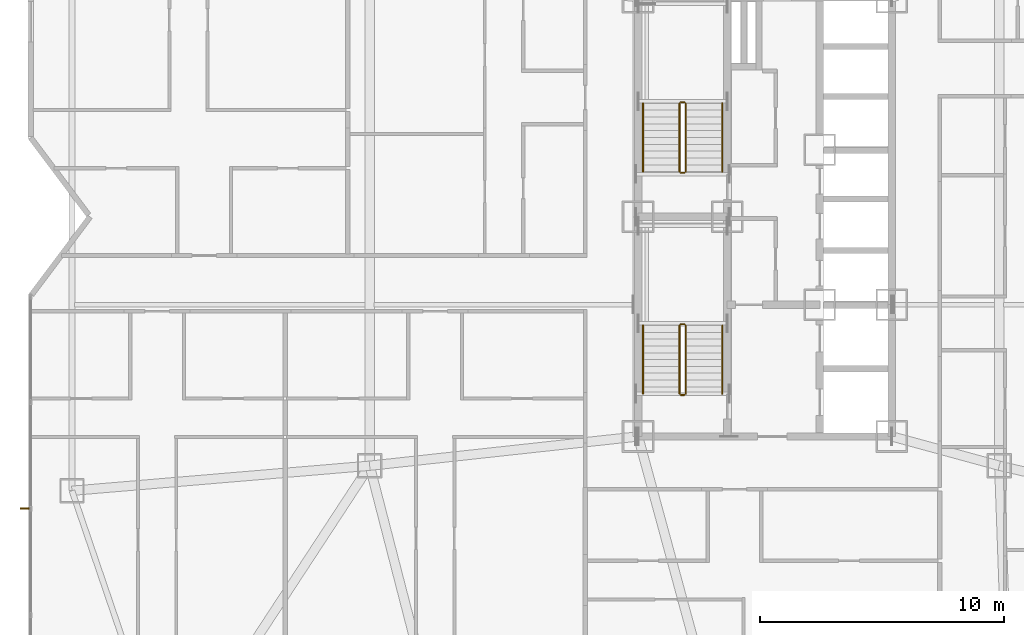
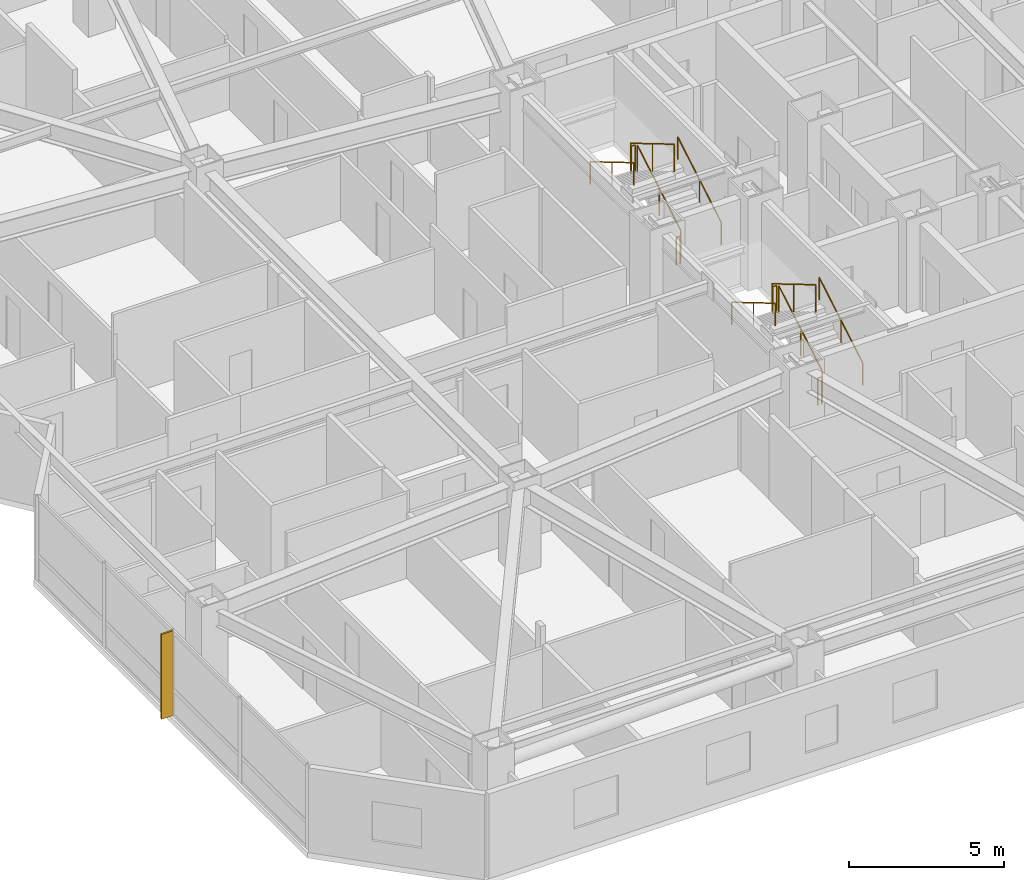
# One storey, part 18 of 18: 12 railings, 1 shading device.
"""IFC4 building model written with IfcOpenShell, lengths in metres."""

import ifcopenshell
import ifcopenshell.guid

model = None  # the IFC model being written
_history = None  # IfcOwnerHistory: only IFC2X3 demands one
_inside = {}  # id of a spatial element -> (the spatial element, [elements in it])
_under = {}  # id of a project, library or spatial element -> (it, [spatial elements below it])
_declared = {}  # id of a project -> (the project, [libraries it declares])
_typed = {}  # id of a type object -> (the type object, [elements of that type])
_made_of = {}  # id of a material, layer set ... -> (it, [elements and type objects made of it])


def new_model(schema):
    """Start an empty IFC model of exactly this schema.

    Asked for "IFC4X3", IfcOpenShell would pick the latest addendum, in which some entities
    have other attributes; the version numbers below select the first issue.
    IFC2X3 requires an IfcOwnerHistory on every rooted entity: one is made here for all.
    """
    global model, _history
    if schema == "IFC4X3":
        model = ifcopenshell.file(schema_version=(4, 3, 0, 0))
    else:
        model = ifcopenshell.file(schema=schema)
    _inside.clear()
    _under.clear()
    _declared.clear()
    _typed.clear()
    _made_of.clear()
    _history = None
    if model.schema == "IFC2X3":
        org = make("IfcOrganization", Name="unknown")
        user = make(
            "IfcPersonAndOrganization",
            ThePerson=make("IfcPerson", FamilyName="unknown"),
            TheOrganization=org,
        )
        app = make(
            "IfcApplication",
            ApplicationDeveloper=org,
            Version="unknown",
            ApplicationFullName="unknown",
            ApplicationIdentifier="unknown",
        )
        _history = make(
            "IfcOwnerHistory",
            OwningUser=user,
            OwningApplication=app,
            ChangeAction="ADDED",
            CreationDate=0,
        )
    return model


def make(cls, **values):
    """One entity of the class cls with the attributes given. An attribute that is None is left unset."""
    return model.create_entity(
        cls, **{name: value for name, value in values.items() if value is not None}
    )


def rooted(cls, **values):
    """An entity with a GlobalId (a new one), such as an element, a storey or a relation."""
    return make(cls, GlobalId=ifcopenshell.guid.new(), OwnerHistory=_history, **values)


def si_unit(unit_type, name, prefix=None):
    """IfcSIUnit, for example si_unit("LENGTHUNIT", "METRE", prefix="MILLI")."""
    return make("IfcSIUnit", UnitType=unit_type, Prefix=prefix, Name=name)


def assignment(units):
    """IfcUnitAssignment: the units of a project."""
    return None if units is None else make("IfcUnitAssignment", Units=units)


def point(xyz):
    """IfcCartesianPoint."""
    return None if xyz is None else make("IfcCartesianPoint", Coordinates=xyz)


def direction(xyz):
    """IfcDirection."""
    return None if xyz is None else make("IfcDirection", DirectionRatios=xyz)


def frame(location, z_axis=None, x_axis=None):
    """IfcAxis2Placement3D, a coordinate frame: its origin and axes. An axis left out is left unset."""
    return make(
        "IfcAxis2Placement3D",
        Location=point(location),
        Axis=direction(z_axis),
        RefDirection=direction(x_axis),
    )


def frame_2d(location, x_axis=None):
    """IfcAxis2Placement2D, a coordinate frame in the plane: its origin and x axis."""
    return make(
        "IfcAxis2Placement2D", Location=point(location), RefDirection=direction(x_axis)
    )


def origin():
    """The frame at (0, 0, 0) with its axes left unset."""
    return frame((0.0, 0.0, 0.0))


def origin_2d():
    """The frame at (0, 0) in the plane with its x axis left unset."""
    return frame_2d((0.0, 0.0))


def place(relative_to, where):
    """IfcLocalPlacement: puts the frame where relative to a parent placement (None: the world)."""
    return make(
        "IfcLocalPlacement", PlacementRelTo=relative_to, RelativePlacement=where
    )


def context(
    kind, dimensions, precision=None, world=None, true_north=None, identifier=None
):
    """IfcGeometricRepresentationContext, for example the 3D "Model" context."""
    return make(
        "IfcGeometricRepresentationContext",
        ContextIdentifier=identifier,
        ContextType=kind,
        CoordinateSpaceDimension=dimensions,
        Precision=precision,
        WorldCoordinateSystem=world,
        TrueNorth=true_north,
    )


def subcontext(parent, identifier, kind, view, scale=None):
    """IfcGeometricRepresentationSubContext, for example "Body" below "Model"."""
    return make(
        "IfcGeometricRepresentationSubContext",
        ContextIdentifier=identifier,
        ContextType=kind,
        ParentContext=parent,
        TargetScale=scale,
        TargetView=view,
    )


def project(units=None, contexts=None):
    """IfcProject with its units and contexts."""
    return rooted(
        "IfcProject",
        Name="project",
        RepresentationContexts=contexts,
        UnitsInContext=assignment(units),
    )


def spatial(cls, under=None, at=None, **own):
    """A site, building, storey or space (cls), placed at a placement, below another one or the project."""
    s = rooted(cls, ObjectPlacement=at, **own)
    if under is not None:
        _under.setdefault(under.id(), (under, []))[1].append(s)
    return s


def profile(cls, at=None, kind="AREA", **sizes):
    """A parametric profile (cls). Its sizes go by their IFC names, for example OverallWidth=200.0."""
    return make(cls, ProfileType=kind, Position=at, **sizes)


def rectangle(**sizes):
    """IfcRectangleProfileDef."""
    return profile("IfcRectangleProfileDef", **sizes)


def circle(**sizes):
    """IfcCircleProfileDef."""
    return profile("IfcCircleProfileDef", **sizes)


def extrude(swept, where, along, depth):
    """IfcExtrudedAreaSolid: the profile swept, set in the frame where, extruded along a direction by depth."""
    return make(
        "IfcExtrudedAreaSolid",
        SweptArea=swept,
        Position=where,
        ExtrudedDirection=direction(along),
        Depth=depth,
    )


def shape(context_of_items, identifier, shape_type, items):
    """IfcShapeRepresentation: the items that make up one representation, for example the "Body"."""
    return make(
        "IfcShapeRepresentation",
        ContextOfItems=context_of_items,
        RepresentationIdentifier=identifier,
        RepresentationType=shape_type,
        Items=items,
    )


def material(Name=None, Category=None):
    """IfcMaterial."""
    return make("IfcMaterial", Name=Name, Category=Category)


def made_of(thing, what):
    """Note that an element or type object is made of a material, layer set ...; save() writes the relation."""
    if what is not None:
        _made_of.setdefault(what.id(), (what, []))[1].append(thing)
    return thing


def type_object(cls, material=None, **own):
    """A type object (cls), such as IfcWallType, which elements share."""
    return made_of(rooted(cls, **own), material)


def element(
    cls,
    number,
    at=None,
    inside=None,
    cuts=None,
    type_object=None,
    material=None,
    context=None,
    identifier="Body",
    shape_type=None,
    held_by="IfcProductDefinitionShape",
    body=None,
    shapes=None,
    **own,
):
    """One element of the class cls, such as IfcWall. Its Tag is "e" and its number.

    at: its placement. inside: the storey or other place that contains it. cuts: it is an
    opening in that element (IfcRelVoidsElement). A single representation is given by context,
    identifier, shape_type and body (its items); several are given by shapes. held_by: the class
    of the entity that holds the representations. save() writes the other relations.
    """
    e = rooted(cls, Tag="e%d" % number, ObjectPlacement=at, **own)
    if body is not None:
        shapes = [shape(context, identifier, shape_type, body)]
    if shapes is not None:
        e.Representation = make(held_by, Representations=shapes)
    if inside is not None:
        _inside.setdefault(inside.id(), (inside, []))[1].append(e)
    if cuts is not None:
        rooted(
            "IfcRelVoidsElement", RelatingBuildingElement=cuts, RelatedOpeningElement=e
        )
    if type_object is not None:
        _typed.setdefault(type_object.id(), (type_object, []))[1].append(e)
    return made_of(e, material)


def aggregate(whole, parts):
    """IfcRelAggregates: a whole, such as a stair, and the parts it consists of."""
    return rooted("IfcRelAggregates", RelatingObject=whole, RelatedObjects=parts)


def save(model, path):
    """Write the relations noted so far, then the file.

    IfcRelAggregates (storeys below a building ...), IfcRelContainedInSpatialStructure (elements
    in a storey), IfcRelDefinesByType, IfcRelAssociatesMaterial and IfcRelDeclares: one each for
    every whole, place, type object, material and project.
    """
    for whole, parts in _under.values():
        aggregate(whole, parts)
    for where, things in _inside.values():
        rooted(
            "IfcRelContainedInSpatialStructure",
            RelatedElements=things,
            RelatingStructure=where,
        )
    for kind, things in _typed.values():
        rooted("IfcRelDefinesByType", RelatedObjects=things, RelatingType=kind)
    for what, things in _made_of.values():
        rooted("IfcRelAssociatesMaterial", RelatedObjects=things, RelatingMaterial=what)
    for by, libraries in _declared.values():
        rooted("IfcRelDeclares", RelatingContext=by, RelatedDefinitions=libraries)
    model.write(path)


model = new_model("IFC4")

# Units and contexts
model_context = context("Model", 3, precision=1e-05, world=origin(), true_north=direction((0.0, 1.0)))
body_context = subcontext(model_context, "Body", "Model", "MODEL_VIEW")
ifc_project = project(units=[si_unit("LENGTHUNIT", "METRE"), si_unit("AREAUNIT", "SQUARE_METRE"), si_unit("VOLUMEUNIT", "CUBIC_METRE"), si_unit("PLANEANGLEUNIT", "RADIAN"), si_unit("MASSUNIT", "GRAM", prefix="KILO")], contexts=[model_context])

# Site, building, storey
site_placement = place(None, origin())
site = spatial("IfcSite", under=ifc_project, at=site_placement, CompositionType="ELEMENT")
building_placement = place(site_placement, origin())
building = spatial("IfcBuilding", under=site, at=building_placement, Name="Khamvora Tower", CompositionType="ELEMENT")
storey_placement = place(building_placement, frame((0.0, 0.0, 80.75)))
storey = spatial("IfcBuildingStorey", under=building, at=storey_placement, Name="L20", CompositionType="ELEMENT", Elevation=80.75)

# Railings
ifc_material_1 = material(Name="Brushed Stainless Steel 316", Category="steel")
railing_type_1 = type_object("IfcRailingType", Name="RAL-HDR-920", PredefinedType="HANDRAIL", material=ifc_material_1)
railing_1_placement = place(storey_placement, frame((32.449951171875, 20.75, 0.166015625)))
element("IfcRailing", 1, at=railing_1_placement, inside=storey, type_object=railing_type_1, Name="L20 ST-01 stair handrail 1", PredefinedType="HANDRAIL", context=body_context, shape_type="SweptSolid", body=[
    extrude(circle(Radius=0.02392578125, at=origin_2d()), frame((0.0, 0.0, 0.8759765625), z_axis=(0.0, 0.860339051648, 0.50972219513), x_axis=(-1.0, 0.0, 0.0)), (0.0, 0.0, 1.0), 3.254638671875),
    extrude(circle(Radius=0.02099609375, at=origin_2d()), origin(), (0.0, 0.0, 1.0), 0.851806640625),
    extrude(circle(Radius=0.02099609375, at=origin_2d()), frame((0.0, 1.39990234375, 0.82958984375)), (0.0, 0.0, 1.0), 0.851806640625),
    extrude(circle(Radius=0.02099609375, at=origin_2d()), frame((0.0, 2.800048828125, 1.658935546875)), (0.0, 0.0, 1.0), 0.851806640625),
])
railing_2_placement = place(storey_placement, frame((29.199951171875, 23.550048828125, 1.990966796875)))
element("IfcRailing", 2, at=railing_2_placement, inside=storey, type_object=railing_type_1, Name="L20 ST-01 stair handrail 2", PredefinedType="HANDRAIL", context=body_context, shape_type="SweptSolid", body=[
    extrude(circle(Radius=0.02392578125, at=origin_2d()), frame((0.0, 0.0, 0.8759765625), z_axis=(0.0, -0.860339051648, 0.50972219513), x_axis=(1.0, 0.0, 0.0)), (0.0, 0.0, 1.0), 3.254638671875),
    extrude(circle(Radius=0.02099609375, at=origin_2d()), origin(), (0.0, 0.0, 1.0), 0.851806640625),
    extrude(circle(Radius=0.02099609375, at=origin_2d()), frame((0.0, -1.39990234375, 0.82958984375)), (0.0, 0.0, 1.0), 0.851806640625),
    extrude(circle(Radius=0.02099609375, at=origin_2d()), frame((0.0, -2.800048828125, 1.658935546875)), (0.0, 0.0, 1.0), 0.851806640625),
])
railing_3_placement = place(storey_placement, frame((32.449951171875, 29.85009765625, 0.166015625)))
element("IfcRailing", 3, at=railing_3_placement, inside=storey, type_object=railing_type_1, Name="L20 ST-02 stair handrail 1", PredefinedType="HANDRAIL", context=body_context, shape_type="SweptSolid", body=[
    extrude(circle(Radius=0.02392578125, at=origin_2d()), frame((0.0, 0.0, 0.8759765625), z_axis=(0.0, 0.860319559791, 0.509755093197), x_axis=(-1.0, 0.0, 0.0)), (0.0, 0.0, 1.0), 3.25439453125),
    extrude(circle(Radius=0.02099609375, at=origin_2d()), origin(), (0.0, 0.0, 1.0), 0.851806640625),
    extrude(circle(Radius=0.02099609375, at=origin_2d()), frame((0.0, 1.39990234375, 0.82958984375)), (0.0, 0.0, 1.0), 0.851806640625),
    extrude(circle(Radius=0.02099609375, at=origin_2d()), frame((0.0, 2.7998046875, 1.658935546875)), (0.0, 0.0, 1.0), 0.851806640625),
])
railing_4_placement = place(storey_placement, frame((29.199951171875, 32.64990234375, 1.990966796875)))
element("IfcRailing", 4, at=railing_4_placement, inside=storey, type_object=railing_type_1, Name="L20 ST-02 stair handrail 2", PredefinedType="HANDRAIL", context=body_context, shape_type="SweptSolid", body=[
    extrude(circle(Radius=0.02392578125, at=origin_2d()), frame((0.0, 0.0, 0.8759765625), z_axis=(0.0, -0.860319559791, 0.509755093197), x_axis=(1.0, 0.0, 0.0)), (0.0, 0.0, 1.0), 3.25439453125),
    extrude(circle(Radius=0.02099609375, at=origin_2d()), origin(), (0.0, 0.0, 1.0), 0.851806640625),
    extrude(circle(Radius=0.02099609375, at=origin_2d()), frame((0.0, -1.39990234375, 0.82958984375)), (0.0, 0.0, 1.0), 0.851806640625),
    extrude(circle(Radius=0.02099609375, at=origin_2d()), frame((0.0, -2.7998046875, 1.658935546875)), (0.0, 0.0, 1.0), 0.851806640625),
])
ifc_material_2 = material(Name="Stainless Steel 316", Category="steel")
railing_type_2 = type_object("IfcRailingType", Name="RAL-STG-1100", PredefinedType="GUARDRAIL", material=ifc_material_2)
railing_5_placement = place(storey_placement, frame((30.949951171875, 20.75, 0.166015625)))
element("IfcRailing", 5, at=railing_5_placement, inside=storey, type_object=railing_type_2, Name="L20 ST-01 stair guard 1", PredefinedType="GUARDRAIL", context=body_context, shape_type="SweptSolid", body=[
    extrude(circle(Radius=0.02392578125, at=origin_2d()), frame((0.0, 0.0, 1.076171875), z_axis=(0.0, 0.860339051648, 0.50972219513), x_axis=(-1.0, 0.0, 0.0)), (0.0, 0.0, 1.0), 3.254638671875),
    extrude(circle(Radius=0.02099609375, at=origin_2d()), origin(), (0.0, 0.0, 1.0), 1.052001953125),
    extrude(circle(Radius=0.02099609375, at=origin_2d()), frame((0.0, 1.39990234375, 0.82958984375)), (0.0, 0.0, 1.0), 1.052001953125),
    extrude(circle(Radius=0.02099609375, at=origin_2d()), frame((0.0, 2.800048828125, 1.658935546875)), (0.0, 0.0, 1.0), 1.052001953125),
])
railing_6_placement = place(storey_placement, frame((30.89990234375, 23.60009765625, 1.824951171875)))
element("IfcRailing", 6, at=railing_6_placement, inside=storey, type_object=railing_type_2, Name="L20 ST-01 stair guard 2", PredefinedType="GUARDRAIL", context=body_context, shape_type="SweptSolid", body=[
    extrude(circle(Radius=0.02392578125, at=origin_2d()), frame((0.0, 0.0, 1.076171875), z_axis=(-1.0, 0.0, 0.0), x_axis=(0.0, -1.0, 0.0)), (0.0, 0.0, 1.0), 0.14990234375),
    extrude(circle(Radius=0.02099609375, at=origin_2d()), origin(), (0.0, 0.0, 1.0), 1.052001953125),
    extrude(circle(Radius=0.02099609375, at=origin_2d()), frame((-0.14990234375, 0.0, 0.0)), (0.0, 0.0, 1.0), 1.052001953125),
])
railing_7_placement = place(storey_placement, frame((30.699951171875, 23.550048828125, 1.990966796875)))
element("IfcRailing", 7, at=railing_7_placement, inside=storey, type_object=railing_type_2, Name="L20 ST-01 stair guard 3", PredefinedType="GUARDRAIL", context=body_context, shape_type="SweptSolid", body=[
    extrude(circle(Radius=0.02392578125, at=origin_2d()), frame((0.0, 0.0, 1.076171875), z_axis=(0.0, -0.860339051648, 0.50972219513), x_axis=(1.0, 0.0, 0.0)), (0.0, 0.0, 1.0), 3.254638671875),
    extrude(circle(Radius=0.02099609375, at=origin_2d()), origin(), (0.0, 0.0, 1.0), 1.052001953125),
    extrude(circle(Radius=0.02099609375, at=origin_2d()), frame((0.0, -1.39990234375, 0.82958984375)), (0.0, 0.0, 1.0), 1.052001953125),
    extrude(circle(Radius=0.02099609375, at=origin_2d()), frame((0.0, -2.800048828125, 1.658935546875)), (0.0, 0.0, 1.0), 1.052001953125),
])
railing_8_placement = place(storey_placement, frame((30.89990234375, 20.699951171875, 0.0)))
element("IfcRailing", 8, at=railing_8_placement, inside=storey, type_object=railing_type_2, Name="L20 ST-01 stair guard 4", PredefinedType="GUARDRAIL", context=body_context, shape_type="SweptSolid", body=[
    extrude(circle(Radius=0.02392578125, at=origin_2d()), frame((0.0, 0.0, 1.076171875), z_axis=(-1.0, 0.0, 0.0), x_axis=(0.0, -1.0, 0.0)), (0.0, 0.0, 1.0), 0.14990234375),
    extrude(circle(Radius=0.02099609375, at=origin_2d()), origin(), (0.0, 0.0, 1.0), 1.052001953125),
    extrude(circle(Radius=0.02099609375, at=origin_2d()), frame((-0.14990234375, 0.0, 0.0)), (0.0, 0.0, 1.0), 1.052001953125),
])
railing_9_placement = place(storey_placement, frame((30.949951171875, 29.85009765625, 0.166015625)))
element("IfcRailing", 9, at=railing_9_placement, inside=storey, type_object=railing_type_2, Name="L20 ST-02 stair guard 1", PredefinedType="GUARDRAIL", context=body_context, shape_type="SweptSolid", body=[
    extrude(circle(Radius=0.02392578125, at=origin_2d()), frame((0.0, 0.0, 1.076171875), z_axis=(0.0, 0.860319559791, 0.509755093197), x_axis=(-1.0, 0.0, 0.0)), (0.0, 0.0, 1.0), 3.25439453125),
    extrude(circle(Radius=0.02099609375, at=origin_2d()), origin(), (0.0, 0.0, 1.0), 1.052001953125),
    extrude(circle(Radius=0.02099609375, at=origin_2d()), frame((0.0, 1.39990234375, 0.82958984375)), (0.0, 0.0, 1.0), 1.052001953125),
    extrude(circle(Radius=0.02099609375, at=origin_2d()), frame((0.0, 2.7998046875, 1.658935546875)), (0.0, 0.0, 1.0), 1.052001953125),
])
railing_10_placement = place(storey_placement, frame((30.89990234375, 32.699951171875, 1.824951171875)))
element("IfcRailing", 10, at=railing_10_placement, inside=storey, type_object=railing_type_2, Name="L20 ST-02 stair guard 2", PredefinedType="GUARDRAIL", context=body_context, shape_type="SweptSolid", body=[
    extrude(circle(Radius=0.02392578125, at=origin_2d()), frame((0.0, 0.0, 1.076171875), z_axis=(-1.0, 0.0, 0.0), x_axis=(0.0, -1.0, 0.0)), (0.0, 0.0, 1.0), 0.14990234375),
    extrude(circle(Radius=0.02099609375, at=origin_2d()), origin(), (0.0, 0.0, 1.0), 1.052001953125),
    extrude(circle(Radius=0.02099609375, at=origin_2d()), frame((-0.14990234375, 0.0, 0.0)), (0.0, 0.0, 1.0), 1.052001953125),
])
railing_11_placement = place(storey_placement, frame((30.699951171875, 32.64990234375, 1.990966796875)))
element("IfcRailing", 11, at=railing_11_placement, inside=storey, type_object=railing_type_2, Name="L20 ST-02 stair guard 3", PredefinedType="GUARDRAIL", context=body_context, shape_type="SweptSolid", body=[
    extrude(circle(Radius=0.02392578125, at=origin_2d()), frame((0.0, 0.0, 1.076171875), z_axis=(0.0, -0.860319559791, 0.509755093197), x_axis=(1.0, 0.0, 0.0)), (0.0, 0.0, 1.0), 3.25439453125),
    extrude(circle(Radius=0.02099609375, at=origin_2d()), origin(), (0.0, 0.0, 1.0), 1.052001953125),
    extrude(circle(Radius=0.02099609375, at=origin_2d()), frame((0.0, -1.39990234375, 0.82958984375)), (0.0, 0.0, 1.0), 1.052001953125),
    extrude(circle(Radius=0.02099609375, at=origin_2d()), frame((0.0, -2.7998046875, 1.658935546875)), (0.0, 0.0, 1.0), 1.052001953125),
])
railing_12_placement = place(storey_placement, frame((30.89990234375, 29.800048828125, 0.0)))
element("IfcRailing", 12, at=railing_12_placement, inside=storey, type_object=railing_type_2, Name="L20 ST-02 stair guard 4", PredefinedType="GUARDRAIL", context=body_context, shape_type="SweptSolid", body=[
    extrude(circle(Radius=0.02392578125, at=origin_2d()), frame((0.0, 0.0, 1.076171875), z_axis=(-1.0, 0.0, 0.0), x_axis=(0.0, -1.0, 0.0)), (0.0, 0.0, 1.0), 0.14990234375),
    extrude(circle(Radius=0.02099609375, at=origin_2d()), origin(), (0.0, 0.0, 1.0), 1.052001953125),
    extrude(circle(Radius=0.02099609375, at=origin_2d()), frame((-0.14990234375, 0.0, 0.0)), (0.0, 0.0, 1.0), 1.052001953125),
])

# Shading device
ifc_material_3 = material(Name="Anodised Bronze Aluminium 6063-T6", Category="aluminium")
shading_device_type = type_object("IfcShadingDeviceType", Name="SHD-FIN-420", PredefinedType="USERDEFINED", material=ifc_material_3)
shading_device_placement = place(storey_placement, frame((3.8798828125, 16.0400390625, 0.0), z_axis=(0.0, 0.0, 1.0), x_axis=(0.0, 1.0, 0.0)))
element("IfcShadingDevice", 13, at=shading_device_placement, inside=storey, type_object=shading_device_type, Name="L20 anodised bronze solar fin 02.01", ObjectType="FIN", PredefinedType="USERDEFINED", context=body_context, shape_type="SweptSolid", body=[
    extrude(rectangle(XDim=0.06005859375, YDim=0.419921875, at=origin_2d()), origin(), (0.0, 0.0, 1.0), 3.330078125),
])

save(model, "model.ifc")
